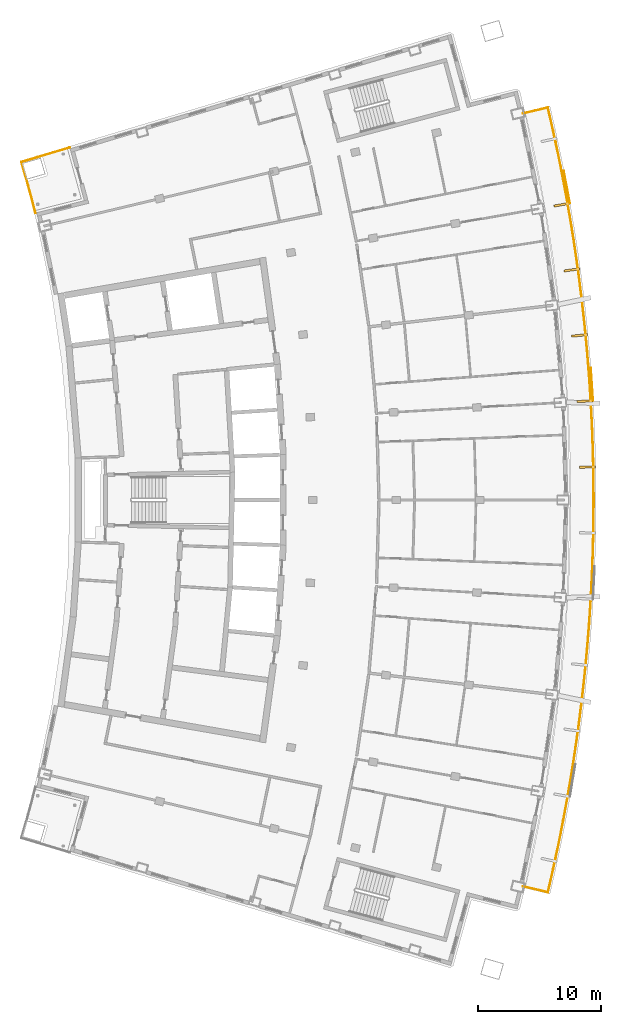
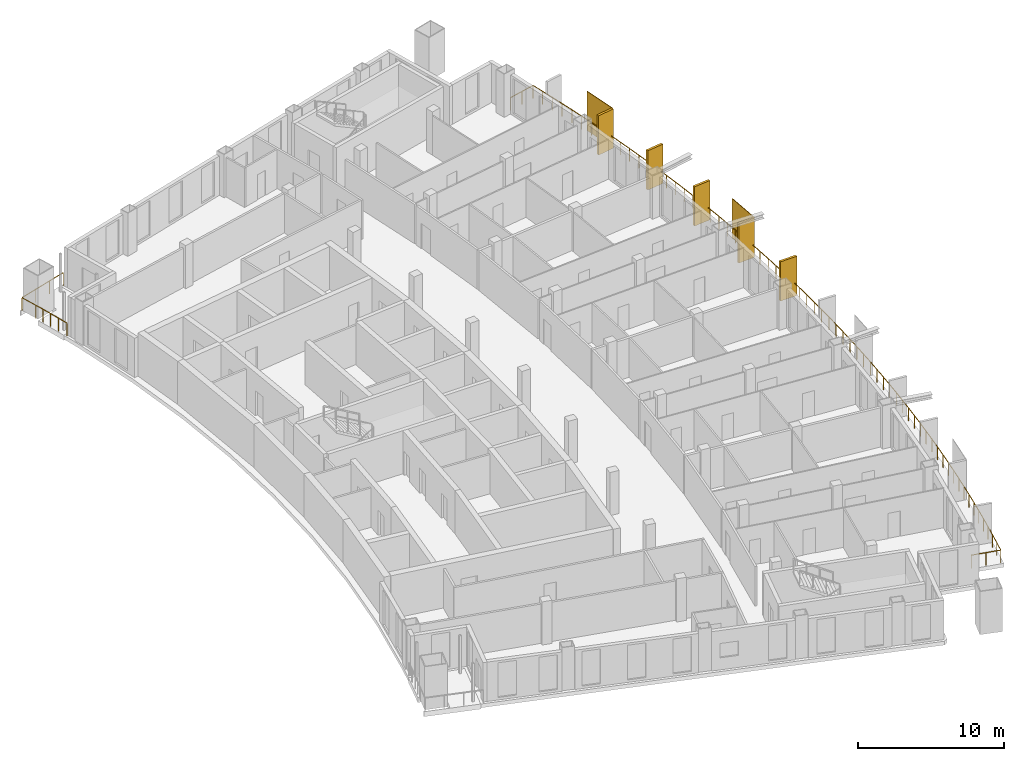
# One storey, part 16 of 17: 7 shading devices, 2 railings.
"""IFC4 building model written with IfcOpenShell, lengths in metres."""

import ifcopenshell
import ifcopenshell.guid

model = None  # the IFC model being written
_history = None  # IfcOwnerHistory: only IFC2X3 demands one
_inside = {}  # id of a spatial element -> (the spatial element, [elements in it])
_under = {}  # id of a project, library or spatial element -> (it, [spatial elements below it])
_declared = {}  # id of a project -> (the project, [libraries it declares])
_typed = {}  # id of a type object -> (the type object, [elements of that type])
_made_of = {}  # id of a material, layer set ... -> (it, [elements and type objects made of it])


def new_model(schema):
    """Start an empty IFC model of exactly this schema.

    Asked for "IFC4X3", IfcOpenShell would pick the latest addendum, in which some entities
    have other attributes; the version numbers below select the first issue.
    IFC2X3 requires an IfcOwnerHistory on every rooted entity: one is made here for all.
    """
    global model, _history
    if schema == "IFC4X3":
        model = ifcopenshell.file(schema_version=(4, 3, 0, 0))
    else:
        model = ifcopenshell.file(schema=schema)
    _inside.clear()
    _under.clear()
    _declared.clear()
    _typed.clear()
    _made_of.clear()
    _history = None
    if model.schema == "IFC2X3":
        org = make("IfcOrganization", Name="unknown")
        user = make(
            "IfcPersonAndOrganization",
            ThePerson=make("IfcPerson", FamilyName="unknown"),
            TheOrganization=org,
        )
        app = make(
            "IfcApplication",
            ApplicationDeveloper=org,
            Version="unknown",
            ApplicationFullName="unknown",
            ApplicationIdentifier="unknown",
        )
        _history = make(
            "IfcOwnerHistory",
            OwningUser=user,
            OwningApplication=app,
            ChangeAction="ADDED",
            CreationDate=0,
        )
    return model


def make(cls, **values):
    """One entity of the class cls with the attributes given. An attribute that is None is left unset."""
    return model.create_entity(
        cls, **{name: value for name, value in values.items() if value is not None}
    )


def rooted(cls, **values):
    """An entity with a GlobalId (a new one), such as an element, a storey or a relation."""
    return make(cls, GlobalId=ifcopenshell.guid.new(), OwnerHistory=_history, **values)


def si_unit(unit_type, name, prefix=None):
    """IfcSIUnit, for example si_unit("LENGTHUNIT", "METRE", prefix="MILLI")."""
    return make("IfcSIUnit", UnitType=unit_type, Prefix=prefix, Name=name)


def assignment(units):
    """IfcUnitAssignment: the units of a project."""
    return None if units is None else make("IfcUnitAssignment", Units=units)


def point(xyz):
    """IfcCartesianPoint."""
    return None if xyz is None else make("IfcCartesianPoint", Coordinates=xyz)


def direction(xyz):
    """IfcDirection."""
    return None if xyz is None else make("IfcDirection", DirectionRatios=xyz)


def frame(location, z_axis=None, x_axis=None):
    """IfcAxis2Placement3D, a coordinate frame: its origin and axes. An axis left out is left unset."""
    return make(
        "IfcAxis2Placement3D",
        Location=point(location),
        Axis=direction(z_axis),
        RefDirection=direction(x_axis),
    )


def frame_2d(location, x_axis=None):
    """IfcAxis2Placement2D, a coordinate frame in the plane: its origin and x axis."""
    return make(
        "IfcAxis2Placement2D", Location=point(location), RefDirection=direction(x_axis)
    )


def origin():
    """The frame at (0, 0, 0) with its axes left unset."""
    return frame((0.0, 0.0, 0.0))


def origin_2d():
    """The frame at (0, 0) in the plane with its x axis left unset."""
    return frame_2d((0.0, 0.0))


def place(relative_to, where):
    """IfcLocalPlacement: puts the frame where relative to a parent placement (None: the world)."""
    return make(
        "IfcLocalPlacement", PlacementRelTo=relative_to, RelativePlacement=where
    )


def context(
    kind, dimensions, precision=None, world=None, true_north=None, identifier=None
):
    """IfcGeometricRepresentationContext, for example the 3D "Model" context."""
    return make(
        "IfcGeometricRepresentationContext",
        ContextIdentifier=identifier,
        ContextType=kind,
        CoordinateSpaceDimension=dimensions,
        Precision=precision,
        WorldCoordinateSystem=world,
        TrueNorth=true_north,
    )


def subcontext(parent, identifier, kind, view, scale=None):
    """IfcGeometricRepresentationSubContext, for example "Body" below "Model"."""
    return make(
        "IfcGeometricRepresentationSubContext",
        ContextIdentifier=identifier,
        ContextType=kind,
        ParentContext=parent,
        TargetScale=scale,
        TargetView=view,
    )


def project(units=None, contexts=None):
    """IfcProject with its units and contexts."""
    return rooted(
        "IfcProject",
        Name="project",
        RepresentationContexts=contexts,
        UnitsInContext=assignment(units),
    )


def spatial(cls, under=None, at=None, **own):
    """A site, building, storey or space (cls), placed at a placement, below another one or the project."""
    s = rooted(cls, ObjectPlacement=at, **own)
    if under is not None:
        _under.setdefault(under.id(), (under, []))[1].append(s)
    return s


def profile(cls, at=None, kind="AREA", **sizes):
    """A parametric profile (cls). Its sizes go by their IFC names, for example OverallWidth=200.0."""
    return make(cls, ProfileType=kind, Position=at, **sizes)


def rectangle(**sizes):
    """IfcRectangleProfileDef."""
    return profile("IfcRectangleProfileDef", **sizes)


def extrude(swept, where, along, depth):
    """IfcExtrudedAreaSolid: the profile swept, set in the frame where, extruded along a direction by depth."""
    return make(
        "IfcExtrudedAreaSolid",
        SweptArea=swept,
        Position=where,
        ExtrudedDirection=direction(along),
        Depth=depth,
    )


def shape(context_of_items, identifier, shape_type, items):
    """IfcShapeRepresentation: the items that make up one representation, for example the "Body"."""
    return make(
        "IfcShapeRepresentation",
        ContextOfItems=context_of_items,
        RepresentationIdentifier=identifier,
        RepresentationType=shape_type,
        Items=items,
    )


def material(Name=None, Category=None):
    """IfcMaterial."""
    return make("IfcMaterial", Name=Name, Category=Category)


def layer(
    of_material, thickness, ventilated=None, Name=None, Category=None, Priority=None
):
    """IfcMaterialLayer: one layer of a wall or slab, of a material (None: an air gap)."""
    return make(
        "IfcMaterialLayer",
        Material=of_material,
        LayerThickness=thickness,
        IsVentilated=ventilated,
        Name=Name,
        Category=Category,
        Priority=Priority,
    )


def layer_set(layers, Name=None):
    """IfcMaterialLayerSet."""
    return make("IfcMaterialLayerSet", MaterialLayers=layers, LayerSetName=Name)


def made_of(thing, what):
    """Note that an element or type object is made of a material, layer set ...; save() writes the relation."""
    if what is not None:
        _made_of.setdefault(what.id(), (what, []))[1].append(thing)
    return thing


def type_object(cls, material=None, **own):
    """A type object (cls), such as IfcWallType, which elements share."""
    return made_of(rooted(cls, **own), material)


def element(
    cls,
    number,
    at=None,
    inside=None,
    cuts=None,
    type_object=None,
    material=None,
    context=None,
    identifier="Body",
    shape_type=None,
    held_by="IfcProductDefinitionShape",
    body=None,
    shapes=None,
    **own,
):
    """One element of the class cls, such as IfcWall. Its Tag is "e" and its number.

    at: its placement. inside: the storey or other place that contains it. cuts: it is an
    opening in that element (IfcRelVoidsElement). A single representation is given by context,
    identifier, shape_type and body (its items); several are given by shapes. held_by: the class
    of the entity that holds the representations. save() writes the other relations.
    """
    e = rooted(cls, Tag="e%d" % number, ObjectPlacement=at, **own)
    if body is not None:
        shapes = [shape(context, identifier, shape_type, body)]
    if shapes is not None:
        e.Representation = make(held_by, Representations=shapes)
    if inside is not None:
        _inside.setdefault(inside.id(), (inside, []))[1].append(e)
    if cuts is not None:
        rooted(
            "IfcRelVoidsElement", RelatingBuildingElement=cuts, RelatedOpeningElement=e
        )
    if type_object is not None:
        _typed.setdefault(type_object.id(), (type_object, []))[1].append(e)
    return made_of(e, material)


def aggregate(whole, parts):
    """IfcRelAggregates: a whole, such as a stair, and the parts it consists of."""
    return rooted("IfcRelAggregates", RelatingObject=whole, RelatedObjects=parts)


def save(model, path):
    """Write the relations noted so far, then the file.

    IfcRelAggregates (storeys below a building ...), IfcRelContainedInSpatialStructure (elements
    in a storey), IfcRelDefinesByType, IfcRelAssociatesMaterial and IfcRelDeclares: one each for
    every whole, place, type object, material and project.
    """
    for whole, parts in _under.values():
        aggregate(whole, parts)
    for where, things in _inside.values():
        rooted(
            "IfcRelContainedInSpatialStructure",
            RelatedElements=things,
            RelatingStructure=where,
        )
    for kind, things in _typed.values():
        rooted("IfcRelDefinesByType", RelatedObjects=things, RelatingType=kind)
    for what, things in _made_of.values():
        rooted("IfcRelAssociatesMaterial", RelatedObjects=things, RelatingMaterial=what)
    for by, libraries in _declared.values():
        rooted("IfcRelDeclares", RelatingContext=by, RelatedDefinitions=libraries)
    model.write(path)


model = new_model("IFC4")

# Units and contexts
model_context = context("Model", 3, precision=1e-05, world=origin(), true_north=direction((0.0, 1.0)))
body_context = subcontext(model_context, "Body", "Model", "MODEL_VIEW")
ifc_project = project(units=[si_unit("LENGTHUNIT", "METRE"), si_unit("AREAUNIT", "SQUARE_METRE"), si_unit("VOLUMEUNIT", "CUBIC_METRE"), si_unit("PLANEANGLEUNIT", "RADIAN"), si_unit("MASSUNIT", "GRAM", prefix="KILO")], contexts=[model_context])

# Site, building, storey
site_placement = place(None, origin())
site = spatial("IfcSite", under=ifc_project, at=site_placement, CompositionType="ELEMENT")
building_placement = place(site_placement, origin())
building = spatial("IfcBuilding", under=site, at=building_placement, Name="Alderwake Tower", CompositionType="ELEMENT")
storey_placement = place(building_placement, frame((0.0, 0.0, 270.800048828125)))
storey = spatial("IfcBuildingStorey", under=building, at=storey_placement, Name="L67", CompositionType="ELEMENT", Elevation=270.800048828125)

# Railings
ifc_material_1 = material(Name="Stainless steel 316 rail and posts", Category="steel")
railing_type = type_object("IfcRailingType", Name="Balcony guard 1100", PredefinedType="GUARDRAIL", material=ifc_material_1)
railing_1_placement = place(storey_placement, frame((52.9208984375, 29.510986328125, 0.0)))
element("IfcRailing", 1, at=railing_1_placement, inside=storey, type_object=railing_type, Name="Guard BF03", PredefinedType="GUARDRAIL", context=body_context, shape_type="SweptSolid", body=[
    extrude(rectangle(XDim=0.048095703125, YDim=0.048095703125, at=origin_2d()), frame((0.0, 0.0, 1.076171875), z_axis=(0.973069996158, -0.230509831846, 0.0), x_axis=(0.230509831846, 0.973069996158, 0.0)), (0.0, 0.0, 1.0), 2.100341796875),
    extrude(rectangle(XDim=0.048095703125, YDim=0.048095703125, at=origin_2d()), frame((2.043701171875, -0.484130859375, 1.076171875), z_axis=(0.223728003456, 0.974651620052, 0.0), x_axis=(-0.974651620052, 0.223728003456, 0.0)), (0.0, 0.0, 1.0), 1.9228515625),
    extrude(rectangle(XDim=0.048095703125, YDim=0.048095703125, at=origin_2d()), frame((2.473876953125, 1.389892578125, 1.076171875), z_axis=(0.209792875229, 0.977745851182, 0.0), x_axis=(-0.977745851182, 0.209792875229, 0.0)), (0.0, 0.0, 1.0), 2.0224609375),
    extrude(rectangle(XDim=0.048095703125, YDim=0.048095703125, at=origin_2d()), frame((2.898193359375, 3.367431640625, 1.076171875), z_axis=(0.195651889061, 0.980673410625, 0.0), x_axis=(-0.980673410625, 0.195651889061, 0.0)), (0.0, 0.0, 1.0), 2.022705078125),
    extrude(rectangle(XDim=0.048095703125, YDim=0.048095703125, at=origin_2d()), frame((3.2939453125, 5.35107421875, 1.076171875), z_axis=(0.181285306719, 0.983430545371, 0.0), x_axis=(-0.983430545371, 0.181285306719, 0.0)), (0.0, 0.0, 1.0), 2.022705078125),
    extrude(rectangle(XDim=0.048095703125, YDim=0.048095703125, at=origin_2d()), frame((3.66064453125, 7.34033203125, 1.076171875), z_axis=(0.166943156218, 0.985966522044, 0.0), x_axis=(-0.985966522044, 0.166943156218, 0.0)), (0.0, 0.0, 1.0), 2.0224609375),
    extrude(rectangle(XDim=0.048095703125, YDim=0.048095703125, at=origin_2d()), frame((3.998291015625, 9.33447265625, 1.076171875), z_axis=(0.152565081877, 0.988293425958, 0.0), x_axis=(-0.988293425958, 0.152565081877, 0.0)), (0.0, 0.0, 1.0), 2.022705078125),
    extrude(rectangle(XDim=0.048095703125, YDim=0.048095703125, at=origin_2d()), frame((4.306884765625, 11.33349609375, 1.076171875), z_axis=(0.138074887842, 0.990421791636, 0.0), x_axis=(-0.990421791636, 0.138074887842, 0.0)), (0.0, 0.0, 1.0), 2.022705078125),
    extrude(rectangle(XDim=0.048095703125, YDim=0.048095703125, at=origin_2d()), frame((4.586181640625, 13.3369140625, 1.076171875), z_axis=(0.123603892024, 0.992331637043, 0.0), x_axis=(-0.992331637043, 0.123603892024, 0.0)), (0.0, 0.0, 1.0), 2.022705078125),
    extrude(rectangle(XDim=0.048095703125, YDim=0.048095703125, at=origin_2d()), frame((4.836181640625, 15.343994140625, 1.076171875), z_axis=(0.109119836799, 0.99402860181, 0.0), x_axis=(-0.99402860181, 0.109119836799, 0.0)), (0.0, 0.0, 1.0), 2.0224609375),
    extrude(rectangle(XDim=0.048095703125, YDim=0.048095703125, at=origin_2d()), frame((5.056884765625, 17.3544921875, 1.076171875), z_axis=(0.094746438959, 0.995501437621, 0.0), x_axis=(-0.995501437621, 0.094746438959, 0.0)), (0.0, 0.0, 1.0), 2.022705078125),
    extrude(rectangle(XDim=0.048095703125, YDim=0.048095703125, at=origin_2d()), frame((5.24853515625, 19.3681640625, 1.076171875), z_axis=(0.080018646594, 0.996793366851, 0.0), x_axis=(-0.996793366851, 0.080018646594, 0.0)), (0.0, 0.0, 1.0), 2.02294921875),
    extrude(rectangle(XDim=0.048095703125, YDim=0.048095703125, at=origin_2d()), frame((5.410400390625, 21.384521484375, 1.076171875), z_axis=(0.065661789431, 0.997841936084, 0.0), x_axis=(-0.997841936084, 0.065661789431, 0.0)), (0.0, 0.0, 1.0), 2.022705078125),
    extrude(rectangle(XDim=0.048095703125, YDim=0.048095703125, at=origin_2d()), frame((5.543212890625, 23.40283203125, 1.076171875), z_axis=(0.051057323107, 0.998695724311, 0.0), x_axis=(-0.998695724311, 0.051057323107, 0.0)), (0.0, 0.0, 1.0), 2.022705078125),
    extrude(rectangle(XDim=0.048095703125, YDim=0.048095703125, at=origin_2d()), frame((5.646484375, 25.4228515625, 1.076171875), z_axis=(0.036453590384, 0.999335346992, 0.0), x_axis=(-0.999335346992, 0.036453590384, 0.0)), (0.0, 0.0, 1.0), 2.022705078125),
    extrude(rectangle(XDim=0.048095703125, YDim=0.048095703125, at=origin_2d()), frame((5.72021484375, 27.444091796875, 1.076171875), z_axis=(0.0218467706, 0.999761330826, 0.0), x_axis=(-0.999761330826, 0.0218467706, 0.0)), (0.0, 0.0, 1.0), 2.022705078125),
    extrude(rectangle(XDim=0.048095703125, YDim=0.048095703125, at=origin_2d()), frame((5.764404296875, 29.46630859375, 1.076171875), z_axis=(0.007241813719, 0.999973777723, 0.0), x_axis=(-0.999973777723, 0.007241813719, 0.0)), (0.0, 0.0, 1.0), 2.022705078125),
    extrude(rectangle(XDim=0.048095703125, YDim=0.048095703125, at=origin_2d()), frame((5.779052734375, 31.489013671875, 1.076171875), z_axis=(-0.007241813719, 0.999973777723, 0.0), x_axis=(-0.999973777723, -0.007241813719, 0.0)), (0.0, 0.0, 1.0), 2.022705078125),
    extrude(rectangle(XDim=0.048095703125, YDim=0.048095703125, at=origin_2d()), frame((5.764404296875, 33.51171875, 1.076171875), z_axis=(-0.0218467706, 0.999761330826, 0.0), x_axis=(-0.999761330826, -0.0218467706, 0.0)), (0.0, 0.0, 1.0), 2.022705078125),
    extrude(rectangle(XDim=0.048095703125, YDim=0.048095703125, at=origin_2d()), frame((5.72021484375, 35.533935546875, 1.076171875), z_axis=(-0.036453590384, 0.999335346992, 0.0), x_axis=(-0.999335346992, -0.036453590384, 0.0)), (0.0, 0.0, 1.0), 2.022705078125),
    extrude(rectangle(XDim=0.048095703125, YDim=0.048095703125, at=origin_2d()), frame((5.646484375, 37.55517578125, 1.076171875), z_axis=(-0.051057323107, 0.998695724311, 0.0), x_axis=(-0.998695724311, -0.051057323107, 0.0)), (0.0, 0.0, 1.0), 2.022705078125),
    extrude(rectangle(XDim=0.048095703125, YDim=0.048095703125, at=origin_2d()), frame((5.543212890625, 39.5751953125, 1.076171875), z_axis=(-0.065661789431, 0.997841936084, 0.0), x_axis=(-0.997841936084, -0.065661789431, 0.0)), (0.0, 0.0, 1.0), 2.022705078125),
    extrude(rectangle(XDim=0.048095703125, YDim=0.048095703125, at=origin_2d()), frame((5.410400390625, 41.593505859375, 1.076171875), z_axis=(-0.080018646594, 0.996793366851, 0.0), x_axis=(-0.996793366851, -0.080018646594, 0.0)), (0.0, 0.0, 1.0), 2.02294921875),
    extrude(rectangle(XDim=0.048095703125, YDim=0.048095703125, at=origin_2d()), frame((5.24853515625, 43.60986328125, 1.076171875), z_axis=(-0.094746438959, 0.995501437621, 0.0), x_axis=(-0.995501437621, -0.094746438959, 0.0)), (0.0, 0.0, 1.0), 2.022705078125),
    extrude(rectangle(XDim=0.048095703125, YDim=0.048095703125, at=origin_2d()), frame((5.056884765625, 45.62353515625, 1.076171875), z_axis=(-0.109119836799, 0.99402860181, 0.0), x_axis=(-0.99402860181, -0.109119836799, 0.0)), (0.0, 0.0, 1.0), 2.0224609375),
    extrude(rectangle(XDim=0.048095703125, YDim=0.048095703125, at=origin_2d()), frame((4.836181640625, 47.634033203125, 1.076171875), z_axis=(-0.123603892024, 0.992331637043, 0.0), x_axis=(-0.992331637043, -0.123603892024, 0.0)), (0.0, 0.0, 1.0), 2.022705078125),
    extrude(rectangle(XDim=0.048095703125, YDim=0.048095703125, at=origin_2d()), frame((4.586181640625, 49.64111328125, 1.076171875), z_axis=(-0.138074887842, 0.990421791636, 0.0), x_axis=(-0.990421791636, -0.138074887842, 0.0)), (0.0, 0.0, 1.0), 2.022705078125),
    extrude(rectangle(XDim=0.048095703125, YDim=0.048095703125, at=origin_2d()), frame((4.306884765625, 51.64453125, 1.076171875), z_axis=(-0.152565081877, 0.988293425958, 0.0), x_axis=(-0.988293425958, -0.152565081877, 0.0)), (0.0, 0.0, 1.0), 2.022705078125),
    extrude(rectangle(XDim=0.048095703125, YDim=0.048095703125, at=origin_2d()), frame((3.998291015625, 53.6435546875, 1.076171875), z_axis=(-0.166943156218, 0.985966522044, 0.0), x_axis=(-0.985966522044, -0.166943156218, 0.0)), (0.0, 0.0, 1.0), 2.0224609375),
    extrude(rectangle(XDim=0.048095703125, YDim=0.048095703125, at=origin_2d()), frame((3.66064453125, 55.6376953125, 1.076171875), z_axis=(-0.181285306719, 0.983430545371, 0.0), x_axis=(-0.983430545371, -0.181285306719, 0.0)), (0.0, 0.0, 1.0), 2.022705078125),
    extrude(rectangle(XDim=0.048095703125, YDim=0.048095703125, at=origin_2d()), frame((3.2939453125, 57.626953125, 1.076171875), z_axis=(-0.195651889061, 0.980673410625, 0.0), x_axis=(-0.980673410625, -0.195651889061, 0.0)), (0.0, 0.0, 1.0), 2.022705078125),
    extrude(rectangle(XDim=0.048095703125, YDim=0.048095703125, at=origin_2d()), frame((2.898193359375, 59.610595703125, 1.076171875), z_axis=(-0.209792875229, 0.977745851182, 0.0), x_axis=(-0.977745851182, -0.209792875229, 0.0)), (0.0, 0.0, 1.0), 2.0224609375),
    extrude(rectangle(XDim=0.048095703125, YDim=0.048095703125, at=origin_2d()), frame((2.473876953125, 61.588134765625, 1.076171875), z_axis=(-0.223728003456, 0.974651620052, 0.0), x_axis=(-0.974651620052, -0.223728003456, 0.0)), (0.0, 0.0, 1.0), 1.9228515625),
    extrude(rectangle(XDim=0.048095703125, YDim=0.048095703125, at=origin_2d()), frame((2.043701171875, 63.462158203125, 1.076171875), z_axis=(-0.973069996158, -0.230509831846, 0.0), x_axis=(0.230509831846, -0.973069996158, 0.0)), (0.0, 0.0, 1.0), 2.100341796875),
    extrude(rectangle(XDim=0.0419921875, YDim=0.0419921875, at=origin_2d()), frame((0.0, 0.0, 0.0), z_axis=(0.0, 0.0, 1.0), x_axis=(0.973069996158, -0.230509831846, 0.0)), (0.0, 0.0, 1.0), 1.052001953125),
    extrude(rectangle(XDim=0.0419921875, YDim=0.0419921875, at=origin_2d()), frame((1.02197265625, -0.2421875, 0.0), z_axis=(0.0, 0.0, 1.0), x_axis=(0.973069996158, -0.230509831846, 0.0)), (0.0, 0.0, 1.0), 1.052001953125),
    extrude(rectangle(XDim=0.0419921875, YDim=0.0419921875, at=origin_2d()), frame((2.043701171875, -0.484130859375, 0.0), z_axis=(0.0, 0.0, 1.0), x_axis=(0.223728003456, 0.974651620052, 0.0)), (0.0, 0.0, 1.0), 1.052001953125),
    extrude(rectangle(XDim=0.0419921875, YDim=0.0419921875, at=origin_2d()), frame((2.2587890625, 0.452880859375, 0.0), z_axis=(0.0, 0.0, 1.0), x_axis=(0.223728003456, 0.974651620052, 0.0)), (0.0, 0.0, 1.0), 1.052001953125),
    extrude(rectangle(XDim=0.0419921875, YDim=0.0419921875, at=origin_2d()), frame((2.473876953125, 1.389892578125, 0.0), z_axis=(0.0, 0.0, 1.0), x_axis=(0.209792875229, 0.977745851182, 0.0)), (0.0, 0.0, 1.0), 1.052001953125),
    extrude(rectangle(XDim=0.0419921875, YDim=0.0419921875, at=origin_2d()), frame((2.68603515625, 2.378662109375, 0.0), z_axis=(0.0, 0.0, 1.0), x_axis=(0.209792875229, 0.977745851182, 0.0)), (0.0, 0.0, 1.0), 1.052001953125),
    extrude(rectangle(XDim=0.0419921875, YDim=0.0419921875, at=origin_2d()), frame((2.898193359375, 3.367431640625, 0.0), z_axis=(0.0, 0.0, 1.0), x_axis=(0.195651889061, 0.980673410625, 0.0)), (0.0, 0.0, 1.0), 1.052001953125),
    extrude(rectangle(XDim=0.0419921875, YDim=0.0419921875, at=origin_2d()), frame((3.09619140625, 4.359375, 0.0), z_axis=(0.0, 0.0, 1.0), x_axis=(0.195651889061, 0.980673410625, 0.0)), (0.0, 0.0, 1.0), 1.052001953125),
    extrude(rectangle(XDim=0.0419921875, YDim=0.0419921875, at=origin_2d()), frame((3.2939453125, 5.35107421875, 0.0), z_axis=(0.0, 0.0, 1.0), x_axis=(0.181285306719, 0.983430545371, 0.0)), (0.0, 0.0, 1.0), 1.052001953125),
    extrude(rectangle(XDim=0.0419921875, YDim=0.0419921875, at=origin_2d()), frame((3.477294921875, 6.345703125, 0.0), z_axis=(0.0, 0.0, 1.0), x_axis=(0.181285306719, 0.983430545371, 0.0)), (0.0, 0.0, 1.0), 1.052001953125),
    extrude(rectangle(XDim=0.0419921875, YDim=0.0419921875, at=origin_2d()), frame((3.66064453125, 7.34033203125, 0.0), z_axis=(0.0, 0.0, 1.0), x_axis=(0.166943156218, 0.985966522044, 0.0)), (0.0, 0.0, 1.0), 1.052001953125),
    extrude(rectangle(XDim=0.0419921875, YDim=0.0419921875, at=origin_2d()), frame((3.82958984375, 8.33740234375, 0.0), z_axis=(0.0, 0.0, 1.0), x_axis=(0.166943156218, 0.985966522044, 0.0)), (0.0, 0.0, 1.0), 1.052001953125),
    extrude(rectangle(XDim=0.0419921875, YDim=0.0419921875, at=origin_2d()), frame((3.998291015625, 9.33447265625, 0.0), z_axis=(0.0, 0.0, 1.0), x_axis=(0.152565081877, 0.988293425958, 0.0)), (0.0, 0.0, 1.0), 1.052001953125),
    extrude(rectangle(XDim=0.0419921875, YDim=0.0419921875, at=origin_2d()), frame((4.152587890625, 10.333984375, 0.0), z_axis=(0.0, 0.0, 1.0), x_axis=(0.152565081877, 0.988293425958, 0.0)), (0.0, 0.0, 1.0), 1.052001953125),
    extrude(rectangle(XDim=0.0419921875, YDim=0.0419921875, at=origin_2d()), frame((4.306884765625, 11.33349609375, 0.0), z_axis=(0.0, 0.0, 1.0), x_axis=(0.138074887842, 0.990421791636, 0.0)), (0.0, 0.0, 1.0), 1.052001953125),
    extrude(rectangle(XDim=0.0419921875, YDim=0.0419921875, at=origin_2d()), frame((4.446533203125, 12.335205078125, 0.0), z_axis=(0.0, 0.0, 1.0), x_axis=(0.138074887842, 0.990421791636, 0.0)), (0.0, 0.0, 1.0), 1.052001953125),
    extrude(rectangle(XDim=0.0419921875, YDim=0.0419921875, at=origin_2d()), frame((4.586181640625, 13.3369140625, 0.0), z_axis=(0.0, 0.0, 1.0), x_axis=(0.123603892024, 0.992331637043, 0.0)), (0.0, 0.0, 1.0), 1.052001953125),
    extrude(rectangle(XDim=0.0419921875, YDim=0.0419921875, at=origin_2d()), frame((4.711181640625, 14.34033203125, 0.0), z_axis=(0.0, 0.0, 1.0), x_axis=(0.123603892024, 0.992331637043, 0.0)), (0.0, 0.0, 1.0), 1.052001953125),
    extrude(rectangle(XDim=0.0419921875, YDim=0.0419921875, at=origin_2d()), frame((4.836181640625, 15.343994140625, 0.0), z_axis=(0.0, 0.0, 1.0), x_axis=(0.109119836799, 0.99402860181, 0.0)), (0.0, 0.0, 1.0), 1.052001953125),
    extrude(rectangle(XDim=0.0419921875, YDim=0.0419921875, at=origin_2d()), frame((4.946533203125, 16.34912109375, 0.0), z_axis=(0.0, 0.0, 1.0), x_axis=(0.109119836799, 0.99402860181, 0.0)), (0.0, 0.0, 1.0), 1.052001953125),
    extrude(rectangle(XDim=0.0419921875, YDim=0.0419921875, at=origin_2d()), frame((5.056884765625, 17.3544921875, 0.0), z_axis=(0.0, 0.0, 1.0), x_axis=(0.094746438959, 0.995501437621, 0.0)), (0.0, 0.0, 1.0), 1.052001953125),
    extrude(rectangle(XDim=0.0419921875, YDim=0.0419921875, at=origin_2d()), frame((5.15283203125, 18.361328125, 0.0), z_axis=(0.0, 0.0, 1.0), x_axis=(0.094746438959, 0.995501437621, 0.0)), (0.0, 0.0, 1.0), 1.052001953125),
    extrude(rectangle(XDim=0.0419921875, YDim=0.0419921875, at=origin_2d()), frame((5.24853515625, 19.3681640625, 0.0), z_axis=(0.0, 0.0, 1.0), x_axis=(0.080018646594, 0.996793366851, 0.0)), (0.0, 0.0, 1.0), 1.052001953125),
    extrude(rectangle(XDim=0.0419921875, YDim=0.0419921875, at=origin_2d()), frame((5.32958984375, 20.37646484375, 0.0), z_axis=(0.0, 0.0, 1.0), x_axis=(0.080018646594, 0.996793366851, 0.0)), (0.0, 0.0, 1.0), 1.052001953125),
    extrude(rectangle(XDim=0.0419921875, YDim=0.0419921875, at=origin_2d()), frame((5.410400390625, 21.384521484375, 0.0), z_axis=(0.0, 0.0, 1.0), x_axis=(0.065661789431, 0.997841936084, 0.0)), (0.0, 0.0, 1.0), 1.052001953125),
    extrude(rectangle(XDim=0.0419921875, YDim=0.0419921875, at=origin_2d()), frame((5.476806640625, 22.3935546875, 0.0), z_axis=(0.0, 0.0, 1.0), x_axis=(0.065661789431, 0.997841936084, 0.0)), (0.0, 0.0, 1.0), 1.052001953125),
    extrude(rectangle(XDim=0.0419921875, YDim=0.0419921875, at=origin_2d()), frame((5.543212890625, 23.40283203125, 0.0), z_axis=(0.0, 0.0, 1.0), x_axis=(0.051057323107, 0.998695724311, 0.0)), (0.0, 0.0, 1.0), 1.052001953125),
    extrude(rectangle(XDim=0.0419921875, YDim=0.0419921875, at=origin_2d()), frame((5.5947265625, 24.412841796875, 0.0), z_axis=(0.0, 0.0, 1.0), x_axis=(0.051057323107, 0.998695724311, 0.0)), (0.0, 0.0, 1.0), 1.052001953125),
    extrude(rectangle(XDim=0.0419921875, YDim=0.0419921875, at=origin_2d()), frame((5.646484375, 25.4228515625, 0.0), z_axis=(0.0, 0.0, 1.0), x_axis=(0.036453590384, 0.999335346992, 0.0)), (0.0, 0.0, 1.0), 1.052001953125),
    extrude(rectangle(XDim=0.0419921875, YDim=0.0419921875, at=origin_2d()), frame((5.683349609375, 26.43359375, 0.0), z_axis=(0.0, 0.0, 1.0), x_axis=(0.036453590384, 0.999335346992, 0.0)), (0.0, 0.0, 1.0), 1.052001953125),
    extrude(rectangle(XDim=0.0419921875, YDim=0.0419921875, at=origin_2d()), frame((5.72021484375, 27.444091796875, 0.0), z_axis=(0.0, 0.0, 1.0), x_axis=(0.0218467706, 0.999761330826, 0.0)), (0.0, 0.0, 1.0), 1.052001953125),
    extrude(rectangle(XDim=0.0419921875, YDim=0.0419921875, at=origin_2d()), frame((5.7421875, 28.455078125, 0.0), z_axis=(0.0, 0.0, 1.0), x_axis=(0.0218467706, 0.999761330826, 0.0)), (0.0, 0.0, 1.0), 1.052001953125),
    extrude(rectangle(XDim=0.0419921875, YDim=0.0419921875, at=origin_2d()), frame((5.764404296875, 29.46630859375, 0.0), z_axis=(0.0, 0.0, 1.0), x_axis=(0.007241813719, 0.999973777723, 0.0)), (0.0, 0.0, 1.0), 1.052001953125),
    extrude(rectangle(XDim=0.0419921875, YDim=0.0419921875, at=origin_2d()), frame((5.771728515625, 30.4775390625, 0.0), z_axis=(0.0, 0.0, 1.0), x_axis=(0.007241813719, 0.999973777723, 0.0)), (0.0, 0.0, 1.0), 1.052001953125),
    extrude(rectangle(XDim=0.0419921875, YDim=0.0419921875, at=origin_2d()), frame((5.779052734375, 31.489013671875, 0.0), z_axis=(0.0, 0.0, 1.0), x_axis=(-0.007241813719, 0.999973777723, 0.0)), (0.0, 0.0, 1.0), 1.052001953125),
    extrude(rectangle(XDim=0.0419921875, YDim=0.0419921875, at=origin_2d()), frame((5.771728515625, 32.50048828125, 0.0), z_axis=(0.0, 0.0, 1.0), x_axis=(-0.007241813719, 0.999973777723, 0.0)), (0.0, 0.0, 1.0), 1.052001953125),
    extrude(rectangle(XDim=0.0419921875, YDim=0.0419921875, at=origin_2d()), frame((5.764404296875, 33.51171875, 0.0), z_axis=(0.0, 0.0, 1.0), x_axis=(-0.0218467706, 0.999761330826, 0.0)), (0.0, 0.0, 1.0), 1.052001953125),
    extrude(rectangle(XDim=0.0419921875, YDim=0.0419921875, at=origin_2d()), frame((5.7421875, 34.52294921875, 0.0), z_axis=(0.0, 0.0, 1.0), x_axis=(-0.0218467706, 0.999761330826, 0.0)), (0.0, 0.0, 1.0), 1.052001953125),
    extrude(rectangle(XDim=0.0419921875, YDim=0.0419921875, at=origin_2d()), frame((5.72021484375, 35.533935546875, 0.0), z_axis=(0.0, 0.0, 1.0), x_axis=(-0.036453590384, 0.999335346992, 0.0)), (0.0, 0.0, 1.0), 1.052001953125),
    extrude(rectangle(XDim=0.0419921875, YDim=0.0419921875, at=origin_2d()), frame((5.683349609375, 36.54443359375, 0.0), z_axis=(0.0, 0.0, 1.0), x_axis=(-0.036453590384, 0.999335346992, 0.0)), (0.0, 0.0, 1.0), 1.052001953125),
    extrude(rectangle(XDim=0.0419921875, YDim=0.0419921875, at=origin_2d()), frame((5.646484375, 37.55517578125, 0.0), z_axis=(0.0, 0.0, 1.0), x_axis=(-0.051057323107, 0.998695724311, 0.0)), (0.0, 0.0, 1.0), 1.052001953125),
    extrude(rectangle(XDim=0.0419921875, YDim=0.0419921875, at=origin_2d()), frame((5.5947265625, 38.565185546875, 0.0), z_axis=(0.0, 0.0, 1.0), x_axis=(-0.051057323107, 0.998695724311, 0.0)), (0.0, 0.0, 1.0), 1.052001953125),
    extrude(rectangle(XDim=0.0419921875, YDim=0.0419921875, at=origin_2d()), frame((5.543212890625, 39.5751953125, 0.0), z_axis=(0.0, 0.0, 1.0), x_axis=(-0.065661789431, 0.997841936084, 0.0)), (0.0, 0.0, 1.0), 1.052001953125),
    extrude(rectangle(XDim=0.0419921875, YDim=0.0419921875, at=origin_2d()), frame((5.476806640625, 40.58447265625, 0.0), z_axis=(0.0, 0.0, 1.0), x_axis=(-0.065661789431, 0.997841936084, 0.0)), (0.0, 0.0, 1.0), 1.052001953125),
    extrude(rectangle(XDim=0.0419921875, YDim=0.0419921875, at=origin_2d()), frame((5.410400390625, 41.593505859375, 0.0), z_axis=(0.0, 0.0, 1.0), x_axis=(-0.080018646594, 0.996793366851, 0.0)), (0.0, 0.0, 1.0), 1.052001953125),
    extrude(rectangle(XDim=0.0419921875, YDim=0.0419921875, at=origin_2d()), frame((5.32958984375, 42.6015625, 0.0), z_axis=(0.0, 0.0, 1.0), x_axis=(-0.080018646594, 0.996793366851, 0.0)), (0.0, 0.0, 1.0), 1.052001953125),
    extrude(rectangle(XDim=0.0419921875, YDim=0.0419921875, at=origin_2d()), frame((5.24853515625, 43.60986328125, 0.0), z_axis=(0.0, 0.0, 1.0), x_axis=(-0.094746438959, 0.995501437621, 0.0)), (0.0, 0.0, 1.0), 1.052001953125),
    extrude(rectangle(XDim=0.0419921875, YDim=0.0419921875, at=origin_2d()), frame((5.15283203125, 44.61669921875, 0.0), z_axis=(0.0, 0.0, 1.0), x_axis=(-0.094746438959, 0.995501437621, 0.0)), (0.0, 0.0, 1.0), 1.052001953125),
    extrude(rectangle(XDim=0.0419921875, YDim=0.0419921875, at=origin_2d()), frame((5.056884765625, 45.62353515625, 0.0), z_axis=(0.0, 0.0, 1.0), x_axis=(-0.109119836799, 0.99402860181, 0.0)), (0.0, 0.0, 1.0), 1.052001953125),
    extrude(rectangle(XDim=0.0419921875, YDim=0.0419921875, at=origin_2d()), frame((4.946533203125, 46.62890625, 0.0), z_axis=(0.0, 0.0, 1.0), x_axis=(-0.109119836799, 0.99402860181, 0.0)), (0.0, 0.0, 1.0), 1.052001953125),
    extrude(rectangle(XDim=0.0419921875, YDim=0.0419921875, at=origin_2d()), frame((4.836181640625, 47.634033203125, 0.0), z_axis=(0.0, 0.0, 1.0), x_axis=(-0.123603892024, 0.992331637043, 0.0)), (0.0, 0.0, 1.0), 1.052001953125),
    extrude(rectangle(XDim=0.0419921875, YDim=0.0419921875, at=origin_2d()), frame((4.711181640625, 48.6376953125, 0.0), z_axis=(0.0, 0.0, 1.0), x_axis=(-0.123603892024, 0.992331637043, 0.0)), (0.0, 0.0, 1.0), 1.052001953125),
    extrude(rectangle(XDim=0.0419921875, YDim=0.0419921875, at=origin_2d()), frame((4.586181640625, 49.64111328125, 0.0), z_axis=(0.0, 0.0, 1.0), x_axis=(-0.138074887842, 0.990421791636, 0.0)), (0.0, 0.0, 1.0), 1.052001953125),
    extrude(rectangle(XDim=0.0419921875, YDim=0.0419921875, at=origin_2d()), frame((4.446533203125, 50.642822265625, 0.0), z_axis=(0.0, 0.0, 1.0), x_axis=(-0.138074887842, 0.990421791636, 0.0)), (0.0, 0.0, 1.0), 1.052001953125),
    extrude(rectangle(XDim=0.0419921875, YDim=0.0419921875, at=origin_2d()), frame((4.306884765625, 51.64453125, 0.0), z_axis=(0.0, 0.0, 1.0), x_axis=(-0.152565081877, 0.988293425958, 0.0)), (0.0, 0.0, 1.0), 1.052001953125),
    extrude(rectangle(XDim=0.0419921875, YDim=0.0419921875, at=origin_2d()), frame((4.152587890625, 52.64404296875, 0.0), z_axis=(0.0, 0.0, 1.0), x_axis=(-0.152565081877, 0.988293425958, 0.0)), (0.0, 0.0, 1.0), 1.052001953125),
    extrude(rectangle(XDim=0.0419921875, YDim=0.0419921875, at=origin_2d()), frame((3.998291015625, 53.6435546875, 0.0), z_axis=(0.0, 0.0, 1.0), x_axis=(-0.166943156218, 0.985966522044, 0.0)), (0.0, 0.0, 1.0), 1.052001953125),
    extrude(rectangle(XDim=0.0419921875, YDim=0.0419921875, at=origin_2d()), frame((3.82958984375, 54.640625, 0.0), z_axis=(0.0, 0.0, 1.0), x_axis=(-0.166943156218, 0.985966522044, 0.0)), (0.0, 0.0, 1.0), 1.052001953125),
    extrude(rectangle(XDim=0.0419921875, YDim=0.0419921875, at=origin_2d()), frame((3.66064453125, 55.6376953125, 0.0), z_axis=(0.0, 0.0, 1.0), x_axis=(-0.181285306719, 0.983430545371, 0.0)), (0.0, 0.0, 1.0), 1.052001953125),
    extrude(rectangle(XDim=0.0419921875, YDim=0.0419921875, at=origin_2d()), frame((3.477294921875, 56.63232421875, 0.0), z_axis=(0.0, 0.0, 1.0), x_axis=(-0.181285306719, 0.983430545371, 0.0)), (0.0, 0.0, 1.0), 1.052001953125),
    extrude(rectangle(XDim=0.0419921875, YDim=0.0419921875, at=origin_2d()), frame((3.2939453125, 57.626953125, 0.0), z_axis=(0.0, 0.0, 1.0), x_axis=(-0.195651889061, 0.980673410625, 0.0)), (0.0, 0.0, 1.0), 1.052001953125),
    extrude(rectangle(XDim=0.0419921875, YDim=0.0419921875, at=origin_2d()), frame((3.09619140625, 58.61865234375, 0.0), z_axis=(0.0, 0.0, 1.0), x_axis=(-0.195651889061, 0.980673410625, 0.0)), (0.0, 0.0, 1.0), 1.052001953125),
    extrude(rectangle(XDim=0.0419921875, YDim=0.0419921875, at=origin_2d()), frame((2.898193359375, 59.610595703125, 0.0), z_axis=(0.0, 0.0, 1.0), x_axis=(-0.209792875229, 0.977745851182, 0.0)), (0.0, 0.0, 1.0), 1.052001953125),
    extrude(rectangle(XDim=0.0419921875, YDim=0.0419921875, at=origin_2d()), frame((2.68603515625, 60.599365234375, 0.0), z_axis=(0.0, 0.0, 1.0), x_axis=(-0.209792875229, 0.977745851182, 0.0)), (0.0, 0.0, 1.0), 1.052001953125),
    extrude(rectangle(XDim=0.0419921875, YDim=0.0419921875, at=origin_2d()), frame((2.473876953125, 61.588134765625, 0.0), z_axis=(0.0, 0.0, 1.0), x_axis=(-0.223728003456, 0.974651620052, 0.0)), (0.0, 0.0, 1.0), 1.052001953125),
    extrude(rectangle(XDim=0.0419921875, YDim=0.0419921875, at=origin_2d()), frame((2.2587890625, 62.525146484375, 0.0), z_axis=(0.0, 0.0, 1.0), x_axis=(-0.223728003456, 0.974651620052, 0.0)), (0.0, 0.0, 1.0), 1.052001953125),
    extrude(rectangle(XDim=0.0419921875, YDim=0.0419921875, at=origin_2d()), frame((2.043701171875, 63.462158203125, 0.0), z_axis=(0.0, 0.0, 1.0), x_axis=(-0.973069996158, -0.230509831846, 0.0)), (0.0, 0.0, 1.0), 1.052001953125),
    extrude(rectangle(XDim=0.0419921875, YDim=0.0419921875, at=origin_2d()), frame((1.02197265625, 63.22021484375, 0.0), z_axis=(0.0, 0.0, 1.0), x_axis=(-0.973069996158, -0.230509831846, 0.0)), (0.0, 0.0, 1.0), 1.052001953125),
    extrude(rectangle(XDim=0.0419921875, YDim=0.0419921875, at=origin_2d()), frame((0.0, 62.97802734375, 0.0), z_axis=(0.0, 0.0, 1.0), x_axis=(-0.973069996158, -0.230509831846, 0.0)), (0.0, 0.0, 1.0), 1.052001953125),
])
railing_2_placement = place(storey_placement, frame((13.210693359375, 84.387451171875, 0.0)))
element("IfcRailing", 2, at=railing_2_placement, inside=storey, type_object=railing_type, Name="Guard terrace RN", PredefinedType="GUARDRAIL", context=body_context, shape_type="SweptSolid", body=[
    extrude(rectangle(XDim=0.048095703125, YDim=0.048095703125, at=origin_2d()), frame((0.0, 0.0, 1.076171875), z_axis=(-0.251385381433, 0.967887075026, 0.0), x_axis=(-0.967887075026, -0.251385381433, 0.0)), (0.0, 0.0, 1.0), 1.6015625),
    extrude(rectangle(XDim=0.048095703125, YDim=0.048095703125, at=origin_2d()), frame((-0.402587890625, 1.550048828125, 1.076171875), z_axis=(-0.266520638672, 0.963829211615, 0.0), x_axis=(-0.963829211615, -0.266520638672, 0.0)), (0.0, 0.0, 1.0), 1.401611328125),
    extrude(rectangle(XDim=0.048095703125, YDim=0.048095703125, at=origin_2d()), frame((-0.776123046875, 2.90087890625, 1.076171875), z_axis=(-0.280093650878, 0.959972680204, 0.0), x_axis=(-0.959972680204, -0.280093650878, 0.0)), (0.0, 0.0, 1.0), 1.30126953125),
    extrude(rectangle(XDim=0.048095703125, YDim=0.048095703125, at=origin_2d()), frame((-1.140625, 4.150146484375, 1.076171875), z_axis=(0.958066871889, 0.286544706789, 0.0), x_axis=(-0.286544706789, 0.958066871889, 0.0)), (0.0, 0.0, 1.0), 4.099853515625),
    extrude(rectangle(XDim=0.0419921875, YDim=0.0419921875, at=origin_2d()), frame((0.0, 0.0, 0.0), z_axis=(0.0, 0.0, 1.0), x_axis=(-0.251385381433, 0.967887075026, 0.0)), (0.0, 0.0, 1.0), 1.052001953125),
    extrude(rectangle(XDim=0.0419921875, YDim=0.0419921875, at=origin_2d()), frame((-0.201171875, 0.77490234375, 0.0), z_axis=(0.0, 0.0, 1.0), x_axis=(-0.251385381433, 0.967887075026, 0.0)), (0.0, 0.0, 1.0), 1.052001953125),
    extrude(rectangle(XDim=0.0419921875, YDim=0.0419921875, at=origin_2d()), frame((-0.402587890625, 1.550048828125, 0.0), z_axis=(0.0, 0.0, 1.0), x_axis=(-0.266520638672, 0.963829211615, 0.0)), (0.0, 0.0, 1.0), 1.052001953125),
    extrude(rectangle(XDim=0.0419921875, YDim=0.0419921875, at=origin_2d()), frame((-0.58935546875, 2.2255859375, 0.0), z_axis=(0.0, 0.0, 1.0), x_axis=(-0.266520638672, 0.963829211615, 0.0)), (0.0, 0.0, 1.0), 1.052001953125),
    extrude(rectangle(XDim=0.0419921875, YDim=0.0419921875, at=origin_2d()), frame((-0.776123046875, 2.90087890625, 0.0), z_axis=(0.0, 0.0, 1.0), x_axis=(-0.280093650878, 0.959972680204, 0.0)), (0.0, 0.0, 1.0), 1.052001953125),
    extrude(rectangle(XDim=0.0419921875, YDim=0.0419921875, at=origin_2d()), frame((-1.140625, 4.150146484375, 0.0), z_axis=(0.0, 0.0, 1.0), x_axis=(0.958066871889, 0.286544706789, 0.0)), (0.0, 0.0, 1.0), 1.052001953125),
    extrude(rectangle(XDim=0.0419921875, YDim=0.0419921875, at=origin_2d()), frame((0.168701171875, 4.541748046875, 0.0), z_axis=(0.0, 0.0, 1.0), x_axis=(0.958066871889, 0.286544706789, 0.0)), (0.0, 0.0, 1.0), 1.052001953125),
    extrude(rectangle(XDim=0.0419921875, YDim=0.0419921875, at=origin_2d()), frame((1.47802734375, 4.933349609375, 0.0), z_axis=(0.0, 0.0, 1.0), x_axis=(0.958066871889, 0.286544706789, 0.0)), (0.0, 0.0, 1.0), 1.052001953125),
    extrude(rectangle(XDim=0.0419921875, YDim=0.0419921875, at=origin_2d()), frame((2.787353515625, 5.324951171875, 0.0), z_axis=(0.0, 0.0, 1.0), x_axis=(0.958066871889, 0.286544706789, 0.0)), (0.0, 0.0, 1.0), 1.052001953125),
])

# Shading devices
ifc_material_2 = material(Name="Bronze anodised aluminium", Category="aluminium")
ifc_layer_1 = layer(ifc_material_2, 0.179931640625)
ifc_layer_set_1 = layer_set([ifc_layer_1], Name="Facade fin 1300")
shading_device_type_1 = type_object("IfcShadingDeviceType", Name="Facade fin 1300", PredefinedType="USERDEFINED", material=ifc_layer_set_1)
for number, where, z_axis, x_axis, name in (
    (3, (58.174072265625, 63.680908203125, 0.0), (0.0, 0.0, 1.0), (0.999811838809, 0.019398117887, 0.0), "Fin"),
    (4, (57.965087890625, 69.052490234375, 0.0), (0.0, 0.0, 1.0), (0.998301080988, 0.058266214038, 0.0), "Fin"),
    (5, (57.547607421875, 74.411865234375, 0.0), (0.0, 0.0, 1.0), (0.995279882363, 0.097046152751, 0.0), "Fin"),
    (6, (56.922119140625, 79.7509765625, 0.0), (0.0, 0.0, 1.0), (0.990752577235, 0.135680988728, 0.0), "Fin"),
    (7, (56.089111328125, 85.061767578125, 0.0), (0.0, 0.0, 1.0), (0.984726421654, 0.174108800747, 0.0), "Fin"),
):
    element("IfcShadingDevice", number, at=place(storey_placement, frame(where, z_axis=z_axis, x_axis=x_axis)), inside=storey, type_object=shading_device_type_1, Name=name, ObjectType="FIN", PredefinedType="USERDEFINED", context=body_context, shape_type="SweptSolid", body=[
        extrude(rectangle(XDim=1.300048828125, YDim=0.179931640625, at=origin_2d()), origin(), (0.0, 0.0, 1.0), 3.280029296875),
    ])
ifc_material_3 = material(Name="Perforated bronze anodised aluminium", Category="aluminium")
ifc_layer_2 = layer(ifc_material_3, 0.050048828125)
ifc_layer_set_2 = layer_set([ifc_layer_2], Name="Perforated screen panel")
shading_device_type_2 = type_object("IfcShadingDeviceType", Name="Perforated screen panel", PredefinedType="USERDEFINED", material=ifc_layer_set_2)
shading_device_1_placement = place(storey_placement, frame((58.547119140625, 70.442626953125, 0.0), z_axis=(0.0, 0.0, 1.0), x_axis=(0.997685465774, 0.067997877779, 0.0)))
element("IfcShadingDevice", 8, at=shading_device_1_placement, inside=storey, type_object=shading_device_type_2, Name="Screen panel", ObjectType="SCREEN", PredefinedType="USERDEFINED", context=body_context, shape_type="SweptSolid", body=[
    extrude(rectangle(XDim=0.050048828125, YDim=2.7080078125, at=origin_2d()), origin(), (0.0, 0.0, 1.0), 3.280029296875),
])
shading_device_2_placement = place(storey_placement, frame((56.506591796875, 86.50341796875, 0.0), z_axis=(0.0, 0.0, 1.0), x_axis=(0.982991488043, 0.183651121519, 0.0)))
element("IfcShadingDevice", 9, at=shading_device_2_placement, inside=storey, type_object=shading_device_type_2, Name="Screen panel", ObjectType="SCREEN", PredefinedType="USERDEFINED", context=body_context, shape_type="SweptSolid", body=[
    extrude(rectangle(XDim=0.050048828125, YDim=2.694091796875, at=origin_2d()), origin(), (0.0, 0.0, 1.0), 3.280029296875),
])

save(model, "model.ifc")
